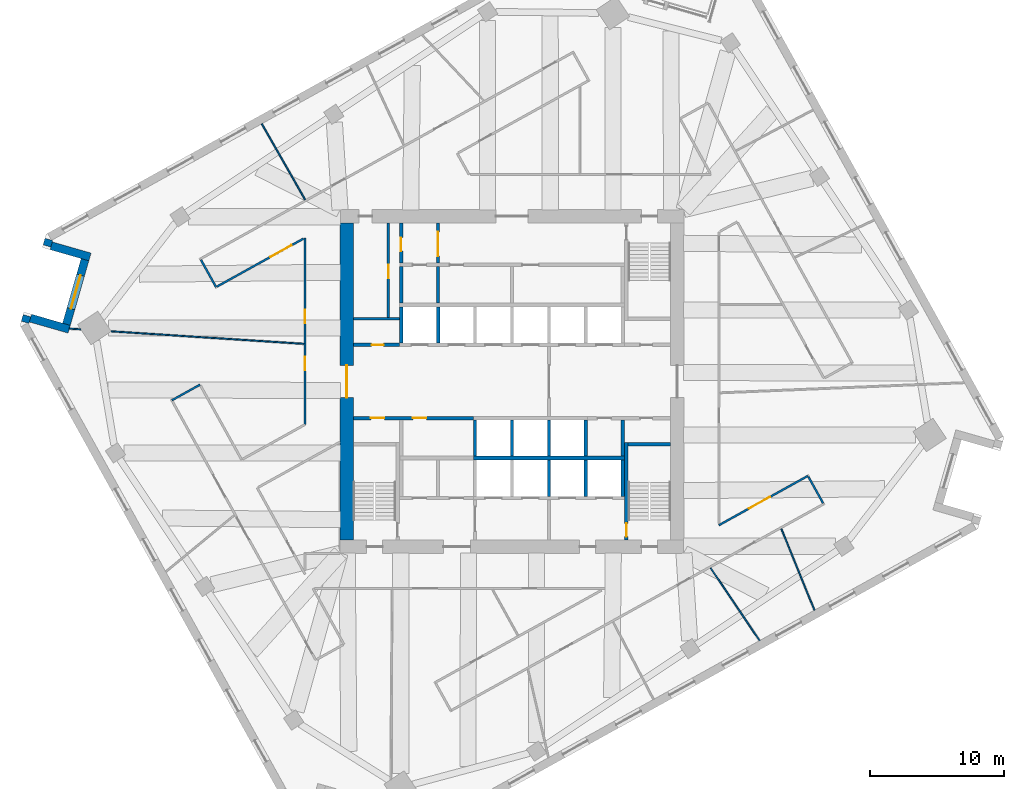
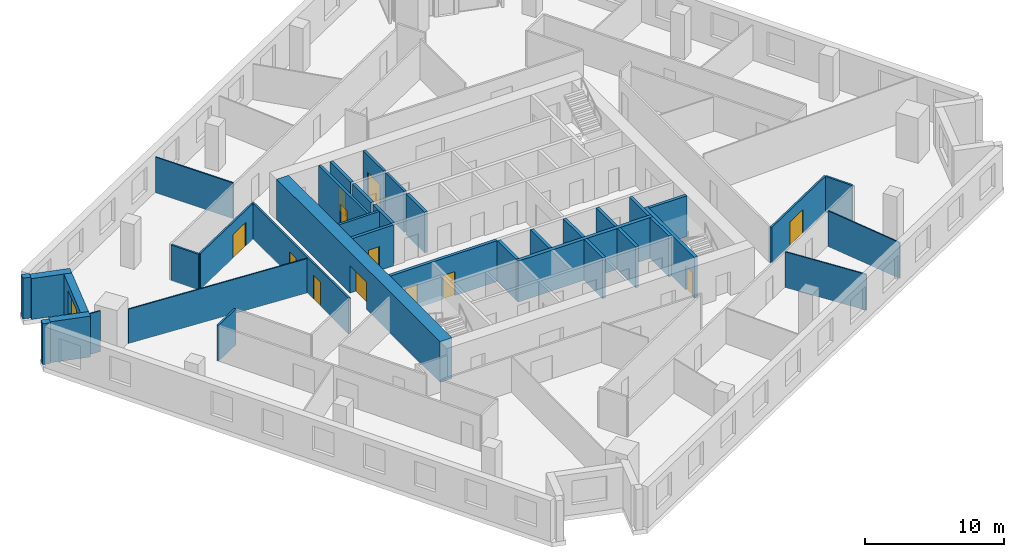
# One storey, part 7 of 12: 38 walls, 12 doors, 1 window, 13 openings.
"""IFC4 building model written with IfcOpenShell, lengths in metres."""

from ifc_helpers import new_model, si_unit, direction, frame, frame_2d, origin, place, context, subcontext, project, spatial, rectangle, extrude, material, layer, layer_set, type_object, element, fill, save


model = new_model("IFC4")

# Units and contexts
model_context = context("Model", 3, precision=1e-05, world=origin(), true_north=direction((0.0, 1.0)))
body_context = subcontext(model_context, "Body", "Model", "MODEL_VIEW")
ifc_project = project(units=[si_unit("LENGTHUNIT", "METRE"), si_unit("AREAUNIT", "SQUARE_METRE"), si_unit("VOLUMEUNIT", "CUBIC_METRE"), si_unit("PLANEANGLEUNIT", "RADIAN"), si_unit("MASSUNIT", "GRAM", prefix="KILO")], contexts=[model_context])

# Site, building, storey
site_placement = place(None, origin())
site = spatial("IfcSite", under=ifc_project, at=site_placement, CompositionType="ELEMENT")
building_placement = place(site_placement, origin())
building = spatial("IfcBuilding", under=site, at=building_placement, Name="Dilmun Exchange Tower", CompositionType="ELEMENT")
storey_placement = place(building_placement, frame((0.0, 0.0, 139.699951171875)))
storey = spatial("IfcBuildingStorey", under=building, at=storey_placement, Name="L32", CompositionType="ELEMENT", Elevation=139.699951171875)

# Wall
ifc_material_1 = material(Name="Concrete C40/50", Category="concrete")
ifc_layer_1 = layer(ifc_material_1, 0.199951171875)
ifc_layer_set_1 = layer_set([ifc_layer_1], Name="Concrete C40/50")
wall_type_1 = type_object("IfcWallType", Name="Core partition wall 200", PredefinedType="PARTITIONING", material=ifc_layer_set_1)
wall_1_placement = place(storey_placement, frame((-11.794921875, 4.675048828125, 0.0), z_axis=(0.0, 0.0, 1.0), x_axis=(1.0, 0.0, 0.0)))
element("IfcWall", 1, at=wall_1_placement, inside=storey, type_object=wall_type_1, Name="L32 core partition wall 14", PredefinedType="PARTITIONING", context=body_context, shape_type="SweptSolid", body=[
    extrude(rectangle(XDim=3.4150390625, YDim=0.199951171875, at=frame_2d((1.70751953125, 0.0))), origin(), (0.0, 0.0, 1.0), 3.60009765625),
])

# Wall, opening, door
wall_2_placement = place(storey_placement, frame((-9.199951171875, 4.780029296875, 0.0), z_axis=(0.0, 0.0, 1.0), x_axis=(0.0, 1.0, 0.0)))
wall_2 = element("IfcWall", 2, at=wall_2_placement, inside=storey, type_object=wall_type_1, Name="L32 core partition wall 15", PredefinedType="PARTITIONING", context=body_context, shape_type="SweptSolid", body=[
    extrude(rectangle(XDim=7.014892578125, YDim=0.199951171875, at=frame_2d((3.50732421875, 0.0))), origin(), (0.0, 0.0, 1.0), 3.60009765625),
])
opening_1_placement = place(wall_2_placement, frame((2.919921875, 0.0, 0.0)))
opening_1 = element("IfcOpeningElement", 3, at=opening_1_placement, cuts=wall_2, Name="Opening CD4", PredefinedType="OPENING", context=body_context, shape_type="SweptSolid", body=[
    extrude(rectangle(XDim=1.0, YDim=2.10009765625, at=frame_2d((0.5, 1.050048828125))), frame((0.0, 0.10986328125, 0.0), z_axis=(0.0, -1.0, 0.0), x_axis=(1.0, 0.0, 0.0)), (0.0, 0.0, 1.0), 0.219970703125),
])
ifc_material_2 = material(Name="Fire-rated steel door set", Category="steel")
door_type_1 = type_object("IfcDoorType", Name="Core room door 1000x2100", OperationType="SINGLE_SWING_LEFT", PredefinedType="DOOR", material=ifc_material_2)
door_1_placement = place(opening_1_placement, origin())
door_1 = element("IfcDoor", 4, at=door_1_placement, inside=storey, type_object=door_type_1, Name="L32 door Fire safety store", OperationType="SINGLE_SWING_LEFT", OverallHeight=2.10009765625, OverallWidth=1.0, PredefinedType="DOOR", context=body_context, shape_type="SweptSolid", body=[
    extrude(rectangle(XDim=1.0, YDim=2.10009765625, at=frame_2d((0.5, 1.050048828125))), frame((0.0, 0.02490234375, 0.0), z_axis=(0.0, -1.0, 0.0), x_axis=(1.0, 0.0, 0.0)), (0.0, 0.0, 1.0), 0.050048828125),
])
fill(opening_1, door_1)

# Wall
wall_3_placement = place(storey_placement, frame((-5.5, 5.85498046875, 0.0), z_axis=(0.0, 0.0, 1.0), x_axis=(0.0, 1.0, 0.0)))
element("IfcWall", 5, at=wall_3_placement, inside=storey, type_object=wall_type_1, Name="L32 core partition wall 17", PredefinedType="PARTITIONING", context=body_context, shape_type="SweptSolid", body=[
    extrude(rectangle(XDim=2.68994140625, YDim=0.199951171875, at=frame_2d((1.344970703125, 0.0))), origin(), (0.0, 0.0, 1.0), 3.60009765625),
])

# Wall, opening, door
wall_4_placement = place(storey_placement, frame((-5.5, 8.804931640625, 0.0), z_axis=(0.0, 0.0, 1.0), x_axis=(0.0, 1.0, 0.0)))
wall_4 = element("IfcWall", 6, at=wall_4_placement, inside=storey, type_object=wall_type_1, Name="L32 core partition wall 22", PredefinedType="PARTITIONING", context=body_context, shape_type="SweptSolid", body=[
    extrude(rectangle(XDim=2.989990234375, YDim=0.199951171875, at=frame_2d((1.4951171875, 0.0))), origin(), (0.0, 0.0, 1.0), 3.60009765625),
])
opening_2_placement = place(wall_4_placement, frame((0.532470703125, 0.0, 0.0)))
opening_2 = element("IfcOpeningElement", 7, at=opening_2_placement, cuts=wall_4, Name="Opening CD5", PredefinedType="OPENING", context=body_context, shape_type="SweptSolid", body=[
    extrude(rectangle(XDim=1.800048828125, YDim=2.10009765625, at=frame_2d((0.89990234375, 1.050048828125))), frame((0.0, 0.10986328125, 0.0), z_axis=(0.0, -1.0, 0.0), x_axis=(1.0, 0.0, 0.0)), (0.0, 0.0, 1.0), 0.219970703125),
])
door_type_2 = type_object("IfcDoorType", Name="Stair exit door 1800x2100", OperationType="SINGLE_SWING_LEFT", PredefinedType="DOOR", material=ifc_material_2)
door_2_placement = place(opening_2_placement, origin())
door_2 = element("IfcDoor", 8, at=door_2_placement, inside=storey, type_object=door_type_2, Name="L32 door Core corridor east", OperationType="SINGLE_SWING_LEFT", OverallHeight=2.10009765625, OverallWidth=1.800048828125, PredefinedType="DOOR", context=body_context, shape_type="SweptSolid", body=[
    extrude(rectangle(XDim=1.800048828125, YDim=2.10009765625, at=frame_2d((0.89990234375, 1.050048828125))), frame((0.0, 0.02490234375, 0.0), z_axis=(0.0, -1.0, 0.0), x_axis=(1.0, 0.0, 0.0)), (0.0, 0.0, 1.0), 0.050048828125),
])
fill(opening_2, door_2)

# Wall
ifc_layer_2 = layer(ifc_material_1, 0.25)
ifc_layer_set_2 = layer_set([ifc_layer_2], Name="Concrete C40/50")
wall_type_2 = type_object("IfcWallType", Name="Core partition wall 250", PredefinedType="PARTITIONING", material=ifc_layer_set_2)
wall_5_placement = place(storey_placement, frame((8.25, -5.544921875, 0.0), z_axis=(0.0, 0.0, 1.0), x_axis=(0.0, 1.0, 0.0)))
element("IfcWall", 9, at=wall_5_placement, inside=storey, type_object=wall_type_2, Name="L32 core partition wall 08", PredefinedType="PARTITIONING", context=body_context, shape_type="SweptSolid", body=[
    extrude(rectangle(XDim=2.68994140625, YDim=0.25, at=frame_2d((1.344970703125, 0.0))), origin(), (0.0, 0.0, 1.0), 3.60009765625),
])

# Wall, openings, doors
wall_6_placement = place(storey_placement, frame((-11.794921875, -2.72509765625, 0.0), z_axis=(0.0, 0.0, 1.0), x_axis=(1.0, 0.0, 0.0)))
wall_6 = element("IfcWall", 10, at=wall_6_placement, inside=storey, type_object=wall_type_2, Name="L32 core partition wall 09", PredefinedType="PARTITIONING", context=body_context, shape_type="SweptSolid", body=[
    extrude(rectangle(XDim=8.9150390625, YDim=0.25, at=frame_2d((4.45751953125, 0.0))), origin(), (0.0, 0.0, 1.0), 3.60009765625),
])
opening_3_placement = place(wall_6_placement, frame((1.294921875, 0.0, 0.0)))
opening_3 = element("IfcOpeningElement", 11, at=opening_3_placement, cuts=wall_6, Name="Opening CD4", PredefinedType="OPENING", context=body_context, shape_type="SweptSolid", body=[
    extrude(rectangle(XDim=1.0, YDim=2.10009765625, at=frame_2d((0.5, 1.050048828125))), frame((0.0, 0.135009765625, 0.0), z_axis=(0.0, -1.0, 0.0), x_axis=(1.0, 0.0, 0.0)), (0.0, 0.0, 1.0), 0.27001953125),
])
opening_4_placement = place(wall_6_placement, frame((4.419921875, 0.0, 0.0)))
opening_4 = element("IfcOpeningElement", 12, at=opening_4_placement, cuts=wall_6, Name="Opening CD4", PredefinedType="OPENING", context=body_context, shape_type="SweptSolid", body=[
    extrude(rectangle(XDim=1.0, YDim=2.10009765625, at=frame_2d((0.5, 1.050048828125))), frame((0.0, 0.135009765625, 0.0), z_axis=(0.0, -1.0, 0.0), x_axis=(1.0, 0.0, 0.0)), (0.0, 0.0, 1.0), 0.27001953125),
])
door_3_placement = place(opening_3_placement, origin())
door_3 = element("IfcDoor", 13, at=door_3_placement, inside=storey, type_object=door_type_1, Name="L32 door Accessible WC", OperationType="SINGLE_SWING_LEFT", OverallHeight=2.10009765625, OverallWidth=1.0, PredefinedType="DOOR", context=body_context, shape_type="SweptSolid", body=[
    extrude(rectangle(XDim=1.0, YDim=2.10009765625, at=frame_2d((0.5, 1.050048828125))), frame((0.0, 0.02490234375, 0.0), z_axis=(0.0, -1.0, 0.0), x_axis=(1.0, 0.0, 0.0)), (0.0, 0.0, 1.0), 0.050048828125),
])
fill(opening_3, door_3)
door_4_placement = place(opening_4_placement, origin())
door_4 = element("IfcDoor", 14, at=door_4_placement, inside=storey, type_object=door_type_1, Name="L32 door Mechanical room", OperationType="SINGLE_SWING_LEFT", OverallHeight=2.10009765625, OverallWidth=1.0, PredefinedType="DOOR", context=body_context, shape_type="SweptSolid", body=[
    extrude(rectangle(XDim=1.0, YDim=2.10009765625, at=frame_2d((0.5, 1.050048828125))), frame((0.0, 0.02490234375, 0.0), z_axis=(0.0, -1.0, 0.0), x_axis=(1.0, 0.0, 0.0)), (0.0, 0.0, 1.0), 0.050048828125),
])
fill(opening_4, door_4)

# Wall, opening, door
wall_7_placement = place(storey_placement, frame((-11.794921875, 2.72509765625, 0.0), z_axis=(0.0, 0.0, 1.0), x_axis=(1.0, 0.0, 0.0)))
wall_7 = element("IfcWall", 15, at=wall_7_placement, inside=storey, type_object=wall_type_2, Name="L32 core partition wall 12", PredefinedType="PARTITIONING", context=body_context, shape_type="SweptSolid", body=[
    extrude(rectangle(XDim=3.4150390625, YDim=0.25, at=frame_2d((1.70751953125, 0.0))), origin(), (0.0, 0.0, 1.0), 3.60009765625),
])
opening_5_placement = place(wall_7_placement, frame((1.344970703125, 0.0, 0.0)))
opening_5 = element("IfcOpeningElement", 16, at=opening_5_placement, cuts=wall_7, Name="Opening CD6", PredefinedType="OPENING", context=body_context, shape_type="SweptSolid", body=[
    extrude(rectangle(XDim=0.89990234375, YDim=2.10009765625, at=frame_2d((0.449951171875, 1.050048828125))), frame((0.0, 0.135009765625, 0.0), z_axis=(0.0, -1.0, 0.0), x_axis=(1.0, 0.0, 0.0)), (0.0, 0.0, 1.0), 0.27001953125),
])
door_type_3 = type_object("IfcDoorType", Name="Core room door 900x2100", OperationType="SINGLE_SWING_LEFT", PredefinedType="DOOR", material=ifc_material_2)
door_5_placement = place(opening_5_placement, origin())
door_5 = element("IfcDoor", 17, at=door_5_placement, inside=storey, type_object=door_type_3, Name="L32 door Plumbing riser", OperationType="SINGLE_SWING_LEFT", OverallHeight=2.10009765625, OverallWidth=0.89990234375, PredefinedType="DOOR", context=body_context, shape_type="SweptSolid", body=[
    extrude(rectangle(XDim=0.89990234375, YDim=2.10009765625, at=frame_2d((0.449951171875, 1.050048828125))), frame((0.0, 0.02490234375, 0.0), z_axis=(0.0, -1.0, 0.0), x_axis=(1.0, 0.0, 0.0)), (0.0, 0.0, 1.0), 0.050048828125),
])
fill(opening_5, door_5)

# Wall
wall_8_placement = place(storey_placement, frame((-8.25, 5.85498046875, 0.0), z_axis=(0.0, 0.0, 1.0), x_axis=(0.0, 1.0, 0.0)))
element("IfcWall", 18, at=wall_8_placement, inside=storey, type_object=wall_type_2, Name="L32 core partition wall 16", PredefinedType="PARTITIONING", context=body_context, shape_type="SweptSolid", body=[
    extrude(rectangle(XDim=2.68994140625, YDim=0.25, at=frame_2d((1.344970703125, 0.0))), origin(), (0.0, 0.0, 1.0), 3.60009765625),
])

# Wall, opening, door
wall_9_placement = place(storey_placement, frame((-8.25, 8.804931640625, 0.0), z_axis=(0.0, 0.0, 1.0), x_axis=(0.0, 1.0, 0.0)))
wall_9 = element("IfcWall", 19, at=wall_9_placement, inside=storey, type_object=wall_type_2, Name="L32 core partition wall 21", PredefinedType="PARTITIONING", context=body_context, shape_type="SweptSolid", body=[
    extrude(rectangle(XDim=2.989990234375, YDim=0.25, at=frame_2d((1.4951171875, 0.0))), origin(), (0.0, 0.0, 1.0), 3.60009765625),
])
opening_6_placement = place(wall_9_placement, frame((0.89501953125, 0.0, 0.0)))
opening_6 = element("IfcOpeningElement", 20, at=opening_6_placement, cuts=wall_9, Name="Opening CD4", PredefinedType="OPENING", context=body_context, shape_type="SweptSolid", body=[
    extrude(rectangle(XDim=1.0, YDim=2.10009765625, at=frame_2d((0.5, 1.050048828125))), frame((0.0, 0.135009765625, 0.0), z_axis=(0.0, -1.0, 0.0), x_axis=(1.0, 0.0, 0.0)), (0.0, 0.0, 1.0), 0.27001953125),
])
door_6_placement = place(opening_6_placement, origin())
door_6 = element("IfcDoor", 21, at=door_6_placement, inside=storey, type_object=door_type_1, Name="L32 door Tenant services room", OperationType="SINGLE_SWING_LEFT", OverallHeight=2.10009765625, OverallWidth=1.0, PredefinedType="DOOR", context=body_context, shape_type="SweptSolid", body=[
    extrude(rectangle(XDim=1.0, YDim=2.10009765625, at=frame_2d((0.5, 1.050048828125))), frame((0.0, 0.02490234375, 0.0), z_axis=(0.0, -1.0, 0.0), x_axis=(1.0, 0.0, 0.0)), (0.0, 0.0, 1.0), 0.050048828125),
])
fill(opening_6, door_6)

ifc_material_3 = material(Name="Concrete C70/85", Category="concrete")
ifc_layer_3 = layer(ifc_material_3, 1.0)
ifc_layer_set_3 = layer_set([ifc_layer_3], Name="Concrete C70/85")
wall_type_3 = type_object("IfcWallType", Name="Core shear wall 1000 Concrete C70/85", PredefinedType="SHEAR", material=ifc_layer_set_3)
wall_10_placement = place(storey_placement, frame((-12.300048828125, -11.800048828125, 0.0), z_axis=(0.0, 0.0, 1.0), x_axis=(0.0, 1.0, 0.0)))
wall_10 = element("IfcWall", 22, at=wall_10_placement, inside=storey, type_object=wall_type_3, Name="L32 core shear wall W", PredefinedType="SHEAR", context=body_context, shape_type="SweptSolid", body=[
    extrude(rectangle(XDim=23.60009765625, YDim=1.0, at=frame_2d((11.800048828125, 0.0))), origin(), (0.0, 0.0, 1.0), 3.60009765625),
])
opening_7_placement = place(wall_10_placement, frame((10.60009765625, 0.0, 0.0)))
opening_7 = element("IfcOpeningElement", 23, at=opening_7_placement, cuts=wall_10, Name="Opening CD1", PredefinedType="OPENING", context=body_context, shape_type="SweptSolid", body=[
    extrude(rectangle(XDim=2.39990234375, YDim=2.39990234375, at=frame_2d((1.199951171875, 1.199951171875))), frame((0.0, 0.510009765625, 0.0), z_axis=(0.0, -1.0, 0.0), x_axis=(1.0, 0.0, 0.0)), (0.0, 0.0, 1.0), 1.02001953125),
])
door_type_4 = type_object("IfcDoorType", Name="Core lobby door 2400x2400", OperationType="DOUBLE_DOOR_DOUBLE_SWING", PredefinedType="DOOR", material=ifc_material_2)
door_7_placement = place(opening_7_placement, origin())
door_7 = element("IfcDoor", 24, at=door_7_placement, inside=storey, type_object=door_type_4, Name="L32 door Central lift lobby", OperationType="SINGLE_SWING_LEFT", OverallHeight=2.39990234375, OverallWidth=2.39990234375, PredefinedType="DOOR", context=body_context, shape_type="SweptSolid", body=[
    extrude(rectangle(XDim=2.39990234375, YDim=2.39990234375, at=frame_2d((1.199951171875, 1.199951171875))), frame((0.0, 0.02490234375, 0.0), z_axis=(0.0, -1.0, 0.0), x_axis=(1.0, 0.0, 0.0)), (0.0, 0.0, 1.0), 0.050048828125),
])
fill(opening_7, door_7)

# Walls
ifc_material_4 = material(Name="Corridor wall 150")
ifc_layer_4 = layer(ifc_material_4, 0.14990234375)
ifc_layer_set_4 = layer_set([ifc_layer_4], Name="Corridor wall 150")
wall_type_4 = type_object("IfcWallType", Name="Corridor wall 150", PredefinedType="PARTITIONING", material=ifc_layer_set_4)
wall_11_placement = place(storey_placement, frame((-25.31494140625, -1.40087890625, 0.0), z_axis=(0.0, 0.0, 1.0), x_axis=(0.874550463112, 0.484934518745, 0.0)))
element("IfcWall", 25, at=wall_11_placement, inside=storey, type_object=wall_type_4, Name="Corridor wall", PredefinedType="PARTITIONING", context=body_context, shape_type="SweptSolid", body=[
    extrude(rectangle(XDim=2.39990234375, YDim=0.14990234375, at=frame_2d((1.199951171875, 0.0))), origin(), (0.0, 0.0, 1.0), 3.150146484375),
])
wall_12_placement = place(storey_placement, frame((-23.150634765625, 9.057373046875, 0.0), z_axis=(0.0, 0.0, 1.0), x_axis=(0.484983092102, -0.874523527628, 0.0)))
element("IfcWall", 26, at=wall_12_placement, inside=storey, type_object=wall_type_4, Name="Corridor wall", PredefinedType="PARTITIONING", context=body_context, shape_type="SweptSolid", body=[
    extrude(rectangle(XDim=2.3251953125, YDim=0.14990234375, at=frame_2d((1.16259765625, 0.0))), origin(), (0.0, 0.0, 1.0), 3.150146484375),
])

# Wall, opening, door
wall_13_placement = place(storey_placement, frame((-21.95751953125, 7.060302734375, 0.0), z_axis=(0.0, 0.0, 1.0), x_axis=(0.87462563297, 0.484798929611, 0.0)))
wall_13 = element("IfcWall", 27, at=wall_13_placement, inside=storey, type_object=wall_type_4, Name="Corridor wall", PredefinedType="PARTITIONING", context=body_context, shape_type="SweptSolid", body=[
    extrude(rectangle(XDim=7.3701171875, YDim=0.14990234375, at=frame_2d((3.68505859375, 0.0))), origin(), (0.0, 0.0, 1.0), 3.150146484375),
])
opening_8_placement = place(wall_13_placement, frame((4.550048828125, 0.0, 0.0)))
opening_8 = element("IfcOpeningElement", 28, at=opening_8_placement, cuts=wall_13, Name="Opening TF31-D03", PredefinedType="OPENING", context=body_context, shape_type="SweptSolid", body=[
    extrude(rectangle(XDim=1.800048828125, YDim=2.10009765625, at=frame_2d((0.89990234375, 1.050048828125))), frame((0.0, 0.0849609375, 0.0), z_axis=(0.0, -1.0, 0.0), x_axis=(1.0, 0.0, 0.0)), (0.0, 0.0, 1.0), 0.169921875),
])
ifc_material_5 = material(Name="Fire door pair 1800 x 2100")
door_type_5 = type_object("IfcDoorType", Name="Fire door pair 1800 x 2100", OperationType="NOTDEFINED", PredefinedType="DOOR", material=ifc_material_5)
door_8_placement = place(opening_8_placement, frame((1.800048828125, 0.0, 0.0), z_axis=(0.0, 0.0, 1.0), x_axis=(-1.0, 0.0, 0.0)))
door_8 = element("IfcDoor", 29, at=door_8_placement, inside=storey, type_object=door_type_5, Name="Door TF31-D03", OperationType="DOUBLE_DOOR_SINGLE_SWING", OverallHeight=2.10009765625, OverallWidth=1.800048828125, PredefinedType="DOOR", context=body_context, shape_type="SweptSolid", body=[
    extrude(rectangle(XDim=1.800048828125, YDim=2.10009765625, at=frame_2d((0.89990234375, 1.050048828125))), frame((0.0, 0.02490234375, 0.0), z_axis=(0.0, -1.0, 0.0), x_axis=(1.0, 0.0, 0.0)), (0.0, 0.0, 1.0), 0.050048828125),
])
fill(opening_8, door_8)

# Wall, openings, doors
wall_14_placement = place(storey_placement, frame((-15.39990234375, -3.200927734375, 0.0), z_axis=(0.0, 0.0, 1.0), x_axis=(0.0, 1.0, 0.0)))
wall_14 = element("IfcWall", 30, at=wall_14_placement, inside=storey, type_object=wall_type_4, Name="Corridor wall", PredefinedType="PARTITIONING", context=body_context, shape_type="SweptSolid", body=[
    extrude(rectangle(XDim=13.89599609375, YDim=0.14990234375, at=frame_2d((6.947998046875, 0.0))), origin(), (0.0, 0.0, 1.0), 3.150146484375),
])
opening_9_placement = place(wall_14_placement, frame((4.050048828125, 0.0, 0.0)))
opening_9 = element("IfcOpeningElement", 31, at=opening_9_placement, cuts=wall_14, Name="Opening TF31-D02", PredefinedType="OPENING", context=body_context, shape_type="SweptSolid", body=[
    extrude(rectangle(XDim=1.0, YDim=2.10009765625, at=frame_2d((0.5, 1.050048828125))), frame((0.0, 0.0849609375, 0.0), z_axis=(0.0, -1.0, 0.0), x_axis=(1.0, 0.0, 0.0)), (0.0, 0.0, 1.0), 0.169921875),
])
opening_10_placement = place(wall_14_placement, frame((7.545654296875, 0.0, 0.0)))
opening_10 = element("IfcOpeningElement", 32, at=opening_10_placement, cuts=wall_14, Name="Opening TF31-D04", PredefinedType="OPENING", context=body_context, shape_type="SweptSolid", body=[
    extrude(rectangle(XDim=1.0, YDim=2.10009765625, at=frame_2d((0.5, 1.050048828125))), frame((0.0, 0.0849609375, 0.0), z_axis=(0.0, -1.0, 0.0), x_axis=(1.0, 0.0, 0.0)), (0.0, 0.0, 1.0), 0.169921875),
])
ifc_material_6 = material(Name="Fire door 1000 x 2100")
door_type_6 = type_object("IfcDoorType", Name="Fire door 1000 x 2100", OperationType="NOTDEFINED", PredefinedType="DOOR", material=ifc_material_6)
door_9_placement = place(opening_9_placement, origin())
door_9 = element("IfcDoor", 33, at=door_9_placement, inside=storey, type_object=door_type_6, Name="Door TF31-D02", OperationType="SINGLE_SWING_RIGHT", OverallHeight=2.10009765625, OverallWidth=1.0, PredefinedType="DOOR", context=body_context, shape_type="SweptSolid", body=[
    extrude(rectangle(XDim=1.0, YDim=2.10009765625, at=frame_2d((0.5, 1.050048828125))), frame((0.0, 0.02490234375, 0.0), z_axis=(0.0, -1.0, 0.0), x_axis=(1.0, 0.0, 0.0)), (0.0, 0.0, 1.0), 0.050048828125),
])
fill(opening_9, door_9)
door_10_placement = place(opening_10_placement, origin())
door_10 = element("IfcDoor", 34, at=door_10_placement, inside=storey, type_object=door_type_6, Name="Door TF31-D04", OperationType="SINGLE_SWING_RIGHT", OverallHeight=2.10009765625, OverallWidth=1.0, PredefinedType="DOOR", context=body_context, shape_type="SweptSolid", body=[
    extrude(rectangle(XDim=1.0, YDim=2.10009765625, at=frame_2d((0.5, 1.050048828125))), frame((0.0, 0.02490234375, 0.0), z_axis=(0.0, -1.0, 0.0), x_axis=(1.0, 0.0, 0.0)), (0.0, 0.0, 1.0), 0.050048828125),
])
fill(opening_10, door_10)

# Wall, opening, door
wall_15_placement = place(storey_placement, frame((15.39990234375, -10.695068359375, 0.0), z_axis=(0.0, 0.0, 1.0), x_axis=(0.874623752953, 0.484802321334, 0.0)))
wall_15 = element("IfcWall", 35, at=wall_15_placement, inside=storey, type_object=wall_type_4, Name="Corridor wall", PredefinedType="PARTITIONING", context=body_context, shape_type="SweptSolid", body=[
    extrude(rectangle(XDim=7.572509765625, YDim=0.14990234375, at=frame_2d((3.7861328125, 0.0))), origin(), (0.0, 0.0, 1.0), 3.150146484375),
])
opening_11_placement = place(wall_15_placement, frame((2.550048828125, 0.0, 0.0)))
opening_11 = element("IfcOpeningElement", 36, at=opening_11_placement, cuts=wall_15, Name="Opening TF31-D22", PredefinedType="OPENING", context=body_context, shape_type="SweptSolid", body=[
    extrude(rectangle(XDim=1.800048828125, YDim=2.10009765625, at=frame_2d((0.89990234375, 1.050048828125))), frame((0.0, 0.0849609375, 0.0), z_axis=(0.0, -1.0, 0.0), x_axis=(1.0, 0.0, 0.0)), (0.0, 0.0, 1.0), 0.169921875),
])
door_11_placement = place(opening_11_placement, origin())
door_11 = element("IfcDoor", 37, at=door_11_placement, inside=storey, type_object=door_type_5, Name="Door TF31-D22", OperationType="DOUBLE_DOOR_SINGLE_SWING", OverallHeight=2.10009765625, OverallWidth=1.800048828125, PredefinedType="DOOR", context=body_context, shape_type="SweptSolid", body=[
    extrude(rectangle(XDim=1.800048828125, YDim=2.10009765625, at=frame_2d((0.89990234375, 1.050048828125))), frame((0.0, 0.02490234375, 0.0), z_axis=(0.0, -1.0, 0.0), x_axis=(1.0, 0.0, 0.0)), (0.0, 0.0, 1.0), 0.050048828125),
])
fill(opening_11, door_11)

# Walls
wall_16_placement = place(storey_placement, frame((22.059326171875, -7.089599609375, 0.0), z_axis=(0.0, 0.0, 1.0), x_axis=(0.484997936641, -0.874515295151, 0.0)))
element("IfcWall", 38, at=wall_16_placement, inside=storey, type_object=wall_type_4, Name="Corridor wall", PredefinedType="PARTITIONING", context=body_context, shape_type="SweptSolid", body=[
    extrude(rectangle(XDim=2.250244140625, YDim=0.14990234375, at=frame_2d((1.125, 0.0))), origin(), (0.0, 0.0, 1.0), 3.150146484375),
])
ifc_layer_5 = layer(ifc_material_1, 0.300048828125)
ifc_layer_set_5 = layer_set([ifc_layer_5], Name="Concrete C40/50")
wall_type_5 = type_object("IfcWallType", Name="Lift shaft shared wall 300", PredefinedType="SOLIDWALL", material=ifc_layer_set_5)
wall_17_placement = place(storey_placement, frame((-2.875, -5.699951171875, 0.0), z_axis=(0.0, 0.0, 1.0), x_axis=(1.0, 0.0, 0.0)))
element("IfcWall", 39, at=wall_17_placement, inside=storey, type_object=wall_type_5, Name="L32 lift shaft rear wall S", PredefinedType="SOLIDWALL", context=body_context, shape_type="SweptSolid", body=[
    extrude(rectangle(XDim=11.25, YDim=0.300048828125, at=frame_2d((5.625, 0.0))), origin(), (0.0, 0.0, 1.0), 3.60009765625),
])
ifc_layer_6 = layer(ifc_material_1, 0.25)
ifc_layer_set_6 = layer_set([ifc_layer_6], Name="Concrete C40/50")
wall_type_6 = type_object("IfcWallType", Name="Lift shaft wall 250", PredefinedType="SOLIDWALL", material=ifc_layer_set_6)
for number, where, z_axis, x_axis, name in (
    (40, (-8.25, 2.85009765625, 0.0), (0.0, 0.0, 1.0), (0.0, 1.0, 0.0), "L32 lift shaft divider N10"),
    (41, (-5.5, 2.85009765625, 0.0), (0.0, 0.0, 1.0), (0.0, 1.0, 0.0), "L32 lift shaft divider N11"),
    (42, (-2.75, -5.550048828125, 0.0), (0.0, 0.0, 1.0), (0.0, 1.0, 0.0), "L32 lift shaft divider S12"),
    (43, (0.0, -5.550048828125, 0.0), (0.0, 0.0, 1.0), (0.0, 1.0, 0.0), "L32 lift shaft divider S13"),
    (44, (2.75, -5.550048828125, 0.0), (0.0, 0.0, 1.0), (0.0, 1.0, 0.0), "L32 lift shaft divider S14"),
    (45, (5.5, -5.550048828125, 0.0), (0.0, 0.0, 1.0), (0.0, 1.0, 0.0), "L32 lift shaft divider S15"),
    (46, (2.75, -8.550048828125, 0.0), (0.0, 0.0, 1.0), (0.0, 1.0, 0.0), "L32 lift shaft divider S24"),
    (47, (5.5, -8.550048828125, 0.0), (0.0, 0.0, 1.0), (0.0, 1.0, 0.0), "L32 lift shaft divider S25"),
    (48, (8.25, -8.550048828125, 0.0), (0.0, 0.0, 1.0), (0.0, 1.0, 0.0), "L32 lift shaft divider S26"),
):
    element("IfcWall", number, at=place(storey_placement, frame(where, z_axis=z_axis, x_axis=x_axis)), inside=storey, type_object=wall_type_6, Name=name, PredefinedType="SOLIDWALL", context=body_context, shape_type="SweptSolid", body=[
        extrude(rectangle(XDim=2.699951171875, YDim=0.25, at=frame_2d((1.35009765625, 0.0))), origin(), (0.0, 0.0, 1.0), 3.60009765625),
    ])
ifc_material_7 = material(Name="Partition 100")
ifc_layer_7 = layer(ifc_material_7, 0.10009765625)
ifc_layer_set_7 = layer_set([ifc_layer_7], Name="Partition 100")
wall_type_7 = type_object("IfcWallType", Name="Partition 100", PredefinedType="PARTITIONING", material=ifc_layer_set_7)
wall_18_placement = place(storey_placement, frame((-32.934814453125, 3.93408203125, 0.0), z_axis=(0.0, 0.0, 1.0), x_axis=(0.997900062075, -0.064772417822, 0.0)))
element("IfcWall", 49, at=wall_18_placement, inside=storey, type_object=wall_type_7, Name="Partition", PredefinedType="PARTITIONING", context=body_context, shape_type="SweptSolid", body=[
    extrude(rectangle(XDim=0.84423828125, YDim=0.10009765625, at=frame_2d((0.422119140625, 0.0))), origin(), (0.0, 0.0, 1.0), 3.60009765625),
])
wall_19_placement = place(storey_placement, frame((-29.830810546875, 3.732421875, 0.0), z_axis=(0.0, 0.0, 1.0), x_axis=(0.997896608912, -0.0648255962, 0.0)))
element("IfcWall", 50, at=wall_19_placement, inside=storey, type_object=wall_type_7, Name="Partition", PredefinedType="PARTITIONING", context=body_context, shape_type="SweptSolid", body=[
    extrude(rectangle(XDim=14.3828125, YDim=0.10009765625, at=frame_2d((7.19140625, 0.0))), origin(), (0.0, 0.0, 1.0), 3.030029296875),
])
wall_20_placement = place(storey_placement, frame((-18.622314453125, 19.173828125, 0.0), z_axis=(0.0, 0.0, 1.0), x_axis=(0.496555361039, -0.8680050538, 0.0)))
element("IfcWall", 51, at=wall_20_placement, inside=storey, type_object=wall_type_7, Name="Partition", PredefinedType="PARTITIONING", context=body_context, shape_type="SweptSolid", body=[
    extrude(rectangle(XDim=6.502197265625, YDim=0.10009765625, at=frame_2d((3.2509765625, 0.0))), origin(), (0.0, 0.0, 1.0), 3.150146484375),
])
wall_21_placement = place(storey_placement, frame((14.777587890625, -13.875, 0.0), z_axis=(0.0, 0.0, 1.0), x_axis=(0.559166197626, -0.829055585249, 0.0)))
element("IfcWall", 52, at=wall_21_placement, inside=storey, type_object=wall_type_7, Name="Partition", PredefinedType="PARTITIONING", context=body_context, shape_type="SweptSolid", body=[
    extrude(rectangle(XDim=6.52294921875, YDim=0.10009765625, at=frame_2d((3.261474609375, 0.0))), origin(), (0.0, 0.0, 1.0), 3.150146484375),
])
wall_22_placement = place(storey_placement, frame((20.038818359375, -10.96044921875, 0.0), z_axis=(0.0, 0.0, 1.0), x_axis=(0.377410664053, -0.926045998134, 0.0)))
element("IfcWall", 53, at=wall_22_placement, inside=storey, type_object=wall_type_7, Name="Partition", PredefinedType="PARTITIONING", context=body_context, shape_type="SweptSolid", body=[
    extrude(rectangle(XDim=6.543212890625, YDim=0.10009765625, at=frame_2d((3.271484375, 0.0))), origin(), (0.0, 0.0, 1.0), 3.150146484375),
])
ifc_material_8 = material(Name="Precast concrete C50/60", Category="concrete")
ifc_layer_8 = layer(ifc_material_8, 0.60009765625)
ifc_layer_set_8 = layer_set([ifc_layer_8], Name="Precast concrete C50/60")
wall_type_8 = type_object("IfcWallType", Name="Precast stone-clad wall 600", PredefinedType="STANDARD", material=ifc_layer_set_8)
wall_23_placement = place(storey_placement, frame((-34.465576171875, 10.5751953125, 0.0), z_axis=(0.0, 0.0, 1.0), x_axis=(-0.275667500387, -0.96125305161, 0.0)))
element("IfcWall", 54, at=wall_23_placement, inside=storey, type_object=wall_type_8, Name="Facade wall L32-04", PredefinedType="STANDARD", context=body_context, shape_type="SweptSolid", body=[
    extrude(rectangle(XDim=0.510986328125, YDim=0.60009765625, at=frame_2d((0.25537109375, 0.0))), origin(), (0.0, 0.0, 1.0), 3.60009765625),
])
wall_24_placement = place(storey_placement, frame((-34.29052734375, 10.097412109375, 0.0), z_axis=(0.0, 0.0, 1.0), x_axis=(0.96126248289, -0.275634611374, 0.0)))
element("IfcWall", 55, at=wall_24_placement, inside=storey, type_object=wall_type_8, Name="Facade wall L32-05", PredefinedType="STANDARD", context=body_context, shape_type="SweptSolid", body=[
    extrude(rectangle(XDim=3.0, YDim=0.60009765625, at=frame_2d((1.5, 0.0))), origin(), (0.0, 0.0, 1.0), 3.60009765625),
])

# Wall, opening, window
wall_25_placement = place(storey_placement, frame((-31.777587890625, 9.064697265625, 0.0), z_axis=(0.0, 0.0, 1.0), x_axis=(-0.275675415896, -0.961250781571, 0.0)))
wall_25 = element("IfcWall", 56, at=wall_25_placement, inside=storey, type_object=wall_type_8, Name="Facade wall L32-06", PredefinedType="STANDARD", context=body_context, shape_type="SweptSolid", body=[
    extrude(rectangle(XDim=5.000244140625, YDim=0.60009765625, at=frame_2d((2.5, 0.0))), origin(), (0.0, 0.0, 1.0), 3.60009765625),
])
opening_12_placement = place(wall_25_placement, frame((1.199951171875, 0.0, 0.89990234375)))
opening_12 = element("IfcOpeningElement", 57, at=opening_12_placement, cuts=wall_25, Name="Opening W260-210", PredefinedType="OPENING", context=body_context, shape_type="SweptSolid", body=[
    extrude(rectangle(XDim=2.60009765625, YDim=2.10009765625, at=frame_2d((1.300048828125, 1.050048828125))), frame((0.0, 0.31005859375, 0.0), z_axis=(0.0, -1.0, 0.0), x_axis=(1.0, 0.0, 0.0)), (0.0, 0.0, 1.0), 0.6201171875),
])
ifc_material_9 = material(Name="Clear low-emissivity glass in aluminium frame", Category="aluminium")
window_type = type_object("IfcWindowType", Name="Punched window 2600 x 2100", PartitioningType="DOUBLE_PANEL_VERTICAL", PredefinedType="WINDOW", material=ifc_material_9)
window_placement = place(opening_12_placement, origin())
window = element("IfcWindow", 58, at=window_placement, inside=storey, type_object=window_type, Name="Window 7.1", OverallHeight=2.10009765625, OverallWidth=2.60009765625, PartitioningType="SINGLE_PANEL", PredefinedType="WINDOW", context=body_context, shape_type="SweptSolid", body=[
    extrude(rectangle(XDim=2.60009765625, YDim=2.10009765625, at=frame_2d((1.300048828125, 1.050048828125))), frame((0.0, 0.030029296875, 0.0), z_axis=(0.0, -1.0, 0.0), x_axis=(1.0, 0.0, 0.0)), (0.0, 0.0, 1.0), 0.06005859375),
])
fill(opening_12, window)

# Walls
wall_26_placement = place(storey_placement, frame((-32.9501953125, 3.88720703125, 0.0), z_axis=(0.0, 0.0, 1.0), x_axis=(-0.96126248289, 0.275634611374, 0.0)))
element("IfcWall", 59, at=wall_26_placement, inside=storey, type_object=wall_type_8, Name="Facade wall L32-07", PredefinedType="STANDARD", context=body_context, shape_type="SweptSolid", body=[
    extrude(rectangle(XDim=3.0, YDim=0.60009765625, at=frame_2d((1.5, 0.0))), origin(), (0.0, 0.0, 1.0), 3.60009765625),
])
wall_27_placement = place(storey_placement, frame((-36.0947265625, 4.89306640625, 0.0), z_axis=(0.0, 0.0, 1.0), x_axis=(-0.275982153595, -0.961162759837, 0.0)))
element("IfcWall", 60, at=wall_27_placement, inside=storey, type_object=wall_type_8, Name="Facade wall L32-08", PredefinedType="STANDARD", context=body_context, shape_type="SweptSolid", body=[
    extrude(rectangle(XDim=0.51123046875, YDim=0.60009765625, at=frame_2d((0.255615234375, 0.0))), origin(), (0.0, 0.0, 1.0), 3.60009765625),
])
ifc_layer_9 = layer(ifc_material_1, 0.25)
ifc_layer_set_9 = layer_set([ifc_layer_9], Name="Concrete C40/50")
wall_type_9 = type_object("IfcWallType", Name="Stair end wall 250", PredefinedType="SOLIDWALL", material=ifc_layer_set_9)
wall_28_placement = place(storey_placement, frame((8.64990234375, -4.675048828125, 0.0), z_axis=(0.0, 0.0, 1.0), x_axis=(1.0, 0.0, 0.0)))
element("IfcWall", 61, at=wall_28_placement, inside=storey, type_object=wall_type_9, Name="L32 ST3 far wall", PredefinedType="SOLIDWALL", context=body_context, shape_type="SweptSolid", body=[
    extrude(rectangle(XDim=3.150146484375, YDim=0.25, at=frame_2d((1.5751953125, 0.0))), origin(), (0.0, 0.0, 1.0), 3.60009765625),
])

# Wall, opening, door
ifc_layer_10 = layer(ifc_material_1, 0.27490234375)
ifc_layer_set_10 = layer_set([ifc_layer_10], Name="Concrete C40/50")
wall_type_10 = type_object("IfcWallType", Name="Stair wall 275", PredefinedType="SOLIDWALL", material=ifc_layer_set_10)
wall_29_placement = place(storey_placement, frame((8.512451171875, -4.550048828125, 0.0), z_axis=(0.0, 0.0, 1.0), x_axis=(0.0, -1.0, 0.0)))
wall_29 = element("IfcWall", 62, at=wall_29_placement, inside=storey, type_object=wall_type_10, Name="L32 ST3 wall to lift block", PredefinedType="SOLIDWALL", context=body_context, shape_type="SweptSolid", body=[
    extrude(rectangle(XDim=7.25, YDim=0.27490234375, at=frame_2d((3.625, 0.0))), origin(), (0.0, 0.0, 1.0), 3.60009765625),
])
opening_13_placement = place(wall_29_placement, frame((6.0, 0.0, 0.0)))
opening_13 = element("IfcOpeningElement", 63, at=opening_13_placement, cuts=wall_29, Name="Opening CD4", PredefinedType="OPENING", context=body_context, shape_type="SweptSolid", body=[
    extrude(rectangle(XDim=1.0, YDim=2.10009765625, at=frame_2d((0.5, 1.050048828125))), frame((0.0, 0.1474609375, 0.0), z_axis=(0.0, -1.0, 0.0), x_axis=(1.0, 0.0, 0.0)), (0.0, 0.0, 1.0), 0.294921875),
])
door_12_placement = place(opening_13_placement, origin())
door_12 = element("IfcDoor", 64, at=door_12_placement, inside=storey, type_object=door_type_1, Name="L32 door ST3 from lobby", OperationType="SINGLE_SWING_LEFT", OverallHeight=2.10009765625, OverallWidth=1.0, PredefinedType="DOOR", context=body_context, shape_type="SweptSolid", body=[
    extrude(rectangle(XDim=1.0, YDim=2.10009765625, at=frame_2d((0.5, 1.050048828125))), frame((0.0, 0.02490234375, 0.0), z_axis=(0.0, -1.0, 0.0), x_axis=(1.0, 0.0, 0.0)), (0.0, 0.0, 1.0), 0.050048828125),
])
fill(opening_13, door_12)

save(model, "model.ifc")
